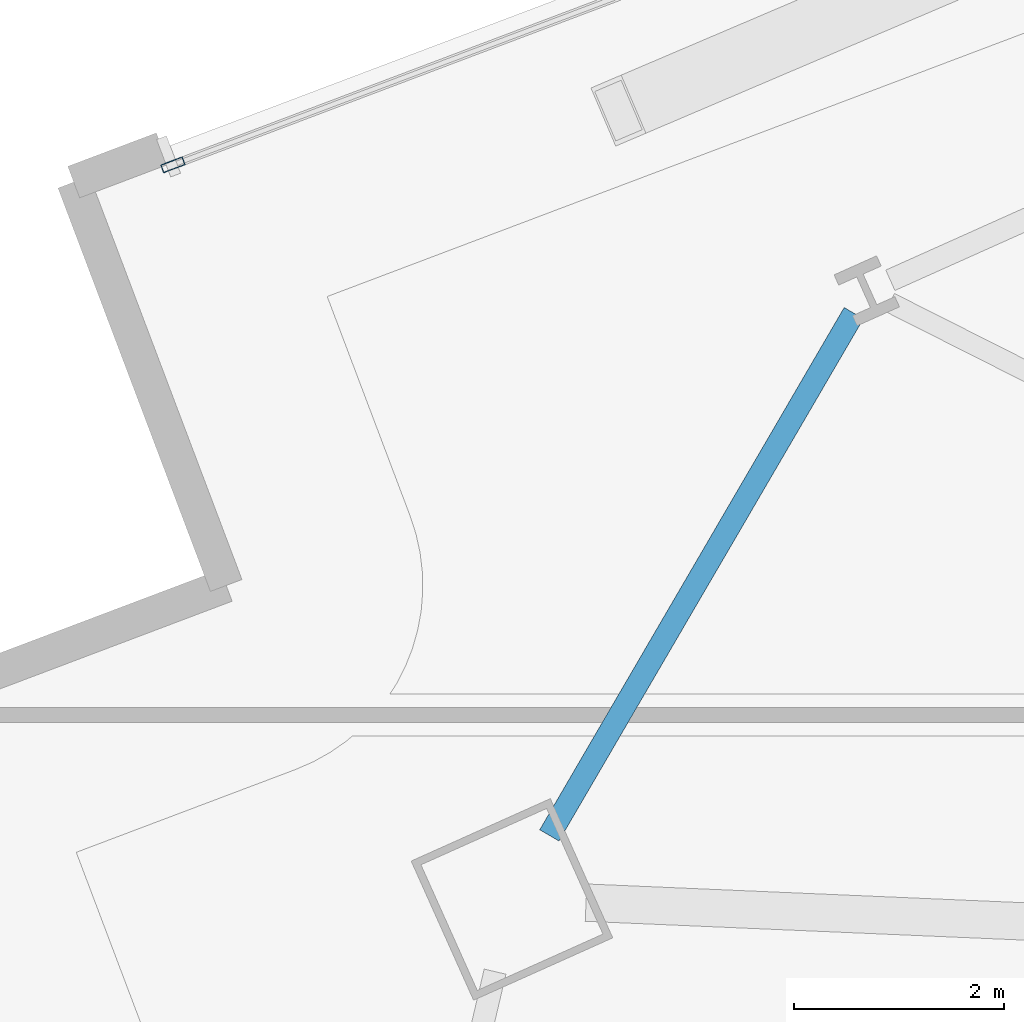
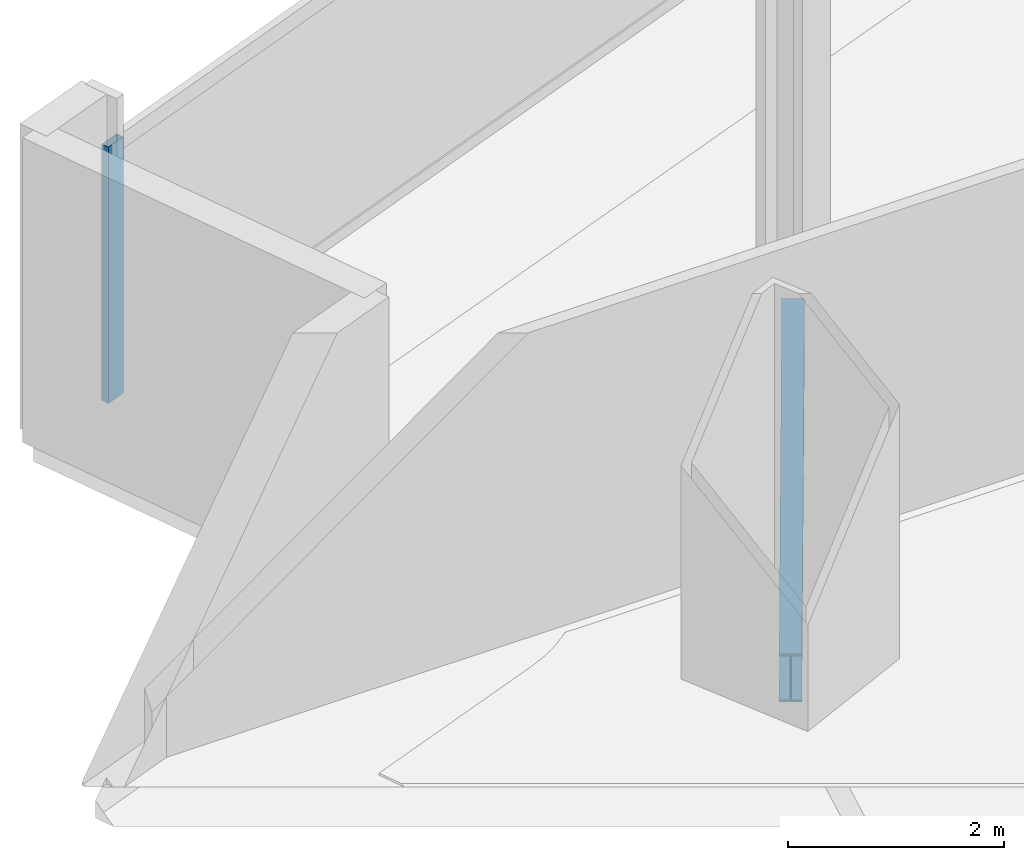
# One storey, part 18 of 37: 1 beam, 1 member, 1 element without a shape of its own.
"""IFC4 building model written with IfcOpenShell, lengths in metres."""

from ifc_helpers import new_model, si_unit, direction, frame, origin, origin_2d, place, context, subcontext, project, spatial, hollow_rectangle, i_section, extrude, material, material_profile, profile_set, type_object, element, aggregate, save


model = new_model("IFC4")

# Units and contexts
model_context = context("Model", 3, precision=1e-05, world=origin(), true_north=direction((0.0, 1.0)))
body_context = subcontext(model_context, "Body", "Model", "MODEL_VIEW")
ifc_project = project(units=[si_unit("LENGTHUNIT", "METRE"), si_unit("AREAUNIT", "SQUARE_METRE"), si_unit("VOLUMEUNIT", "CUBIC_METRE"), si_unit("PLANEANGLEUNIT", "RADIAN"), si_unit("MASSUNIT", "GRAM", prefix="KILO")], contexts=[model_context])

# Site, building, storey
site_placement = place(None, origin())
site = spatial("IfcSite", under=ifc_project, at=site_placement, CompositionType="ELEMENT")
building_placement = place(site_placement, origin())
building = spatial("IfcBuilding", under=site, at=building_placement, Name="Haldenkirk Collegiate Tower", CompositionType="ELEMENT")
storey_placement = place(building_placement, frame((0.0, 0.0, 97.949951171875)))
storey = spatial("IfcBuildingStorey", under=building, at=storey_placement, Name="L23", CompositionType="ELEMENT", Elevation=97.949951171875)

# Beam
ifc_material_1 = material(Name="Steel ASTM A992 Grade 50", Category="steel")
ifc_material_profile_1 = material_profile(ifc_material_1, i_section(OverallWidth=0.2119140625, OverallDepth=0.5439453125, WebThickness=0.01318359375, FlangeThickness=0.021240234375, at=origin_2d()), Name="W21X83")
ifc_profile_set_1 = profile_set([ifc_material_profile_1], Name="Steel ASTM A992 Grade 50")
beam_type = type_object("IfcBeamType", Name="BM-SPANDREL-W21X83", PredefinedType="SPANDREL", material=ifc_profile_set_1)
beam_placement = place(storey_placement, frame((14.035888671875, 40.27001953125, -0.572021484375), z_axis=(-0.503649179098, -0.863908273137, 0.0), x_axis=(0.863908273137, -0.503649179098, 0.0)))
element("IfcBeam", 1, at=beam_placement, inside=storey, type_object=beam_type, Name="L23 perimeter spandrel beam 12", PredefinedType="SPANDREL", context=body_context, shape_type="SweptSolid", body=[
    extrude(i_section(OverallWidth=0.2119140625, OverallDepth=0.5439453125, WebThickness=0.01318359375, FlangeThickness=0.021240234375, at=origin_2d()), origin(), (0.0, 0.0, 1.0), 5.748046875),
])

# Curtain wall, member
ifc_material_2 = material(Name="Anodised architectural bronze aluminium", Category="aluminium")
curtain_wall_type = type_object("IfcCurtainWallType", Name="CW-SYS1-CONVEX-LOW", PredefinedType="USERDEFINED", material=ifc_material_2)
curtain_wall_placement = place(storey_placement, origin())
curtain_wall = element("IfcCurtainWall", 2, at=curtain_wall_placement, inside=storey, type_object=curtain_wall_type, Name="L23 Lower tower convex bronze-framed unitised curtain wall", ObjectType="UNITISED CURTAIN WALL", PredefinedType="USERDEFINED")
ifc_material_profile_2 = material_profile(ifc_material_2, hollow_rectangle(XDim=0.080078125, YDim=0.219970703125, WallThickness=0.0048828125, at=origin_2d()), Name="CW-MUL-1A")
ifc_profile_set_2 = profile_set([ifc_material_profile_2], Name="Anodised architectural bronze aluminium")
member_type = type_object("IfcMemberType", Name="CW-MUL-1A", PredefinedType="MULLION", material=ifc_profile_set_2)
member_placement = place(storey_placement, frame((7.5615234375, 41.679931640625, 0.0), z_axis=(0.0, 0.0, 1.0), x_axis=(-0.353476419489, 0.935443435417, 0.0)))
member = element("IfcMember", 3, at=member_placement, type_object=member_type, Name="CW-1A mullion 1", PredefinedType="MULLION", context=body_context, shape_type="SweptSolid", body=[
    extrude(hollow_rectangle(XDim=0.080078125, YDim=0.219970703125, WallThickness=0.0048828125, at=origin_2d()), origin(), (0.0, 0.0, 1.0), 2.901123046875),
])
aggregate(curtain_wall, [member])

save(model, "model.ifc")
